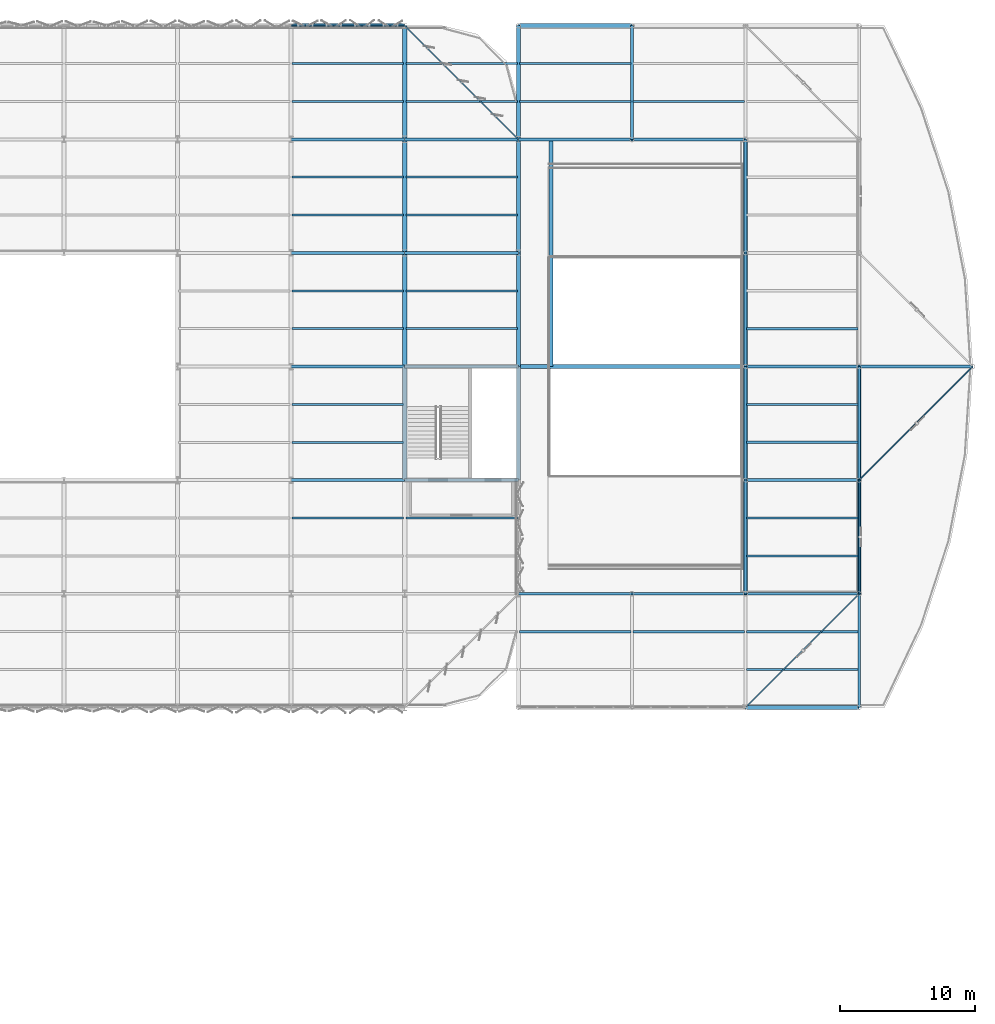
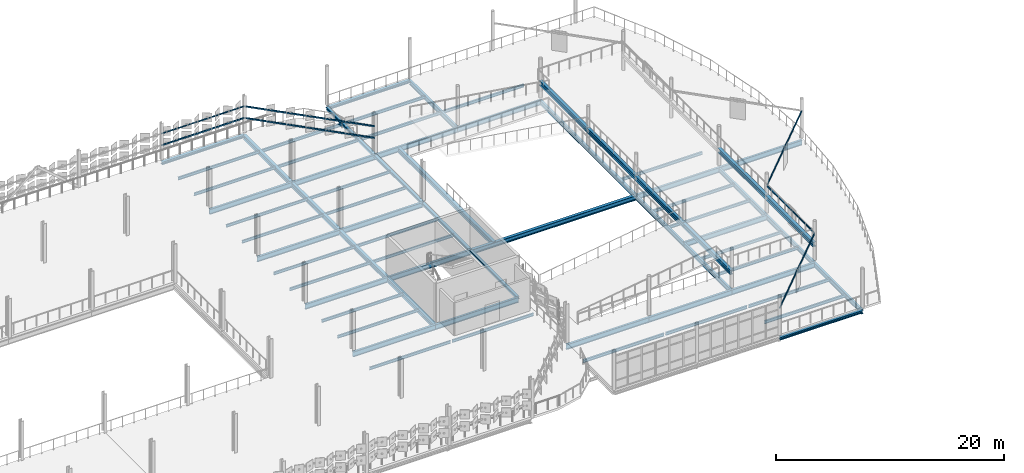
# One storey, part 34 of 69: 78 beams.
"""IFC4 building model written with IfcOpenShell, lengths in metres."""

from ifc_helpers import new_model, si_unit, direction, frame, origin, origin_2d, place, context, subcontext, project, spatial, hollow_rectangle, i_section, extrude, material, material_profile, profile_set, type_object, element, save


model = new_model("IFC4")

# Units and contexts
model_context = context("Model", 3, precision=1e-05, world=origin(), true_north=direction((0.0, 1.0)))
body_context = subcontext(model_context, "Body", "Model", "MODEL_VIEW")
ifc_project = project(units=[si_unit("LENGTHUNIT", "METRE"), si_unit("AREAUNIT", "SQUARE_METRE"), si_unit("VOLUMEUNIT", "CUBIC_METRE"), si_unit("PLANEANGLEUNIT", "RADIAN"), si_unit("MASSUNIT", "GRAM", prefix="KILO")], contexts=[model_context])

# Site, building, storey
site_placement = place(None, origin())
site = spatial("IfcSite", under=ifc_project, at=site_placement, CompositionType="ELEMENT")
building_placement = place(site_placement, origin())
building = spatial("IfcBuilding", under=site, at=building_placement, Name="Qalvenar Corner Mobility Hub", CompositionType="ELEMENT")
storey_placement = place(building_placement, frame((0.0, 0.0, 13.199951171875)))
storey = spatial("IfcBuildingStorey", under=building, at=storey_placement, Name="L03", CompositionType="ELEMENT", Elevation=13.199951171875)

# Beams
ifc_material = material(Name="Steel S355", Category="steel")
ifc_material_profile_1 = material_profile(ifc_material, i_section(OverallWidth=0.300048828125, OverallDepth=0.489990234375, WebThickness=0.011962890625, FlangeThickness=0.02294921875, FilletRadius=0.027099609375, at=origin_2d()), Name="HEA500")
ifc_profile_set_1 = profile_set([ifc_material_profile_1], Name="Steel S355")
beam_type_1 = type_object("IfcBeamType", Name="BM-HEA500", PredefinedType="BEAM", material=ifc_profile_set_1)
beam_1_placement = place(storey_placement, frame((134.39990234375, 84.0, -0.48486328125), z_axis=(0.0, 1.0, 0.0), x_axis=(-1.0, 0.0, 0.0)))
element("IfcBeam", 1, at=beam_1_placement, inside=storey, type_object=beam_type_1, Name="Primary Steel Girder GY-2435", PredefinedType="BEAM", context=body_context, shape_type="SweptSolid", body=[
    extrude(i_section(OverallWidth=0.300048828125, OverallDepth=0.489990234375, WebThickness=0.011962890625, FlangeThickness=0.02294921875, FilletRadius=0.027099609375, at=origin_2d()), origin(), (0.0, 0.0, 1.0), 8.39990234375),
])
beam_2_placement = place(storey_placement, frame((134.39990234375, 92.39990234375, -0.48486328125), z_axis=(0.0, 1.0, 0.0), x_axis=(-1.0, 0.0, 0.0)))
element("IfcBeam", 2, at=beam_2_placement, inside=storey, type_object=beam_type_1, Name="Primary Steel Girder GY-2436", PredefinedType="BEAM", context=body_context, shape_type="SweptSolid", body=[
    extrude(i_section(OverallWidth=0.300048828125, OverallDepth=0.489990234375, WebThickness=0.011962890625, FlangeThickness=0.02294921875, FilletRadius=0.027099609375, at=origin_2d()), origin(), (0.0, 0.0, 1.0), 8.400146484375),
])
beam_3_placement = place(storey_placement, frame((134.39990234375, 100.800048828125, -0.48486328125), z_axis=(0.0, 1.0, 0.0), x_axis=(-1.0, 0.0, 0.0)))
element("IfcBeam", 3, at=beam_3_placement, inside=storey, type_object=beam_type_1, Name="Primary Steel Girder GY-2437", PredefinedType="BEAM", context=body_context, shape_type="SweptSolid", body=[
    extrude(i_section(OverallWidth=0.300048828125, OverallDepth=0.489990234375, WebThickness=0.011962890625, FlangeThickness=0.02294921875, FilletRadius=0.027099609375, at=origin_2d()), origin(), (0.0, 0.0, 1.0), 8.39990234375),
])
beam_4_placement = place(storey_placement, frame((134.39990234375, 109.199951171875, -0.48486328125), z_axis=(0.0, 1.0, 0.0), x_axis=(-1.0, 0.0, 0.0)))
element("IfcBeam", 4, at=beam_4_placement, inside=storey, type_object=beam_type_1, Name="Primary Steel Girder GY-2438", PredefinedType="BEAM", context=body_context, shape_type="SweptSolid", body=[
    extrude(i_section(OverallWidth=0.300048828125, OverallDepth=0.489990234375, WebThickness=0.011962890625, FlangeThickness=0.02294921875, FilletRadius=0.027099609375, at=origin_2d()), origin(), (0.0, 0.0, 1.0), 8.400146484375),
])
for number, where, z_axis, x_axis, name in (
    (5, (142.800048828125, 92.39990234375, -0.512939453125), (1.0, 0.0, 0.0), (0.0, 1.0, 0.0), "Ramp Well Central Tie Girder L03"),
    (6, (145.199951171875, 92.39990234375, -0.512939453125), (0.0, 1.0, 0.0), (-1.0, 0.0, 0.0), "Ramp West Header Girder L03-HI"),
):
    element("IfcBeam", number, at=place(storey_placement, frame(where, z_axis=z_axis, x_axis=x_axis)), inside=storey, type_object=beam_type_1, Name=name, PredefinedType="BEAM", context=body_context, shape_type="SweptSolid", body=[
        extrude(i_section(OverallWidth=0.300048828125, OverallDepth=0.489990234375, WebThickness=0.011962890625, FlangeThickness=0.02294921875, FilletRadius=0.027099609375, at=origin_2d()), origin(), (0.0, 0.0, 1.0), 16.800048828125),
    ])
for number, where, z_axis, x_axis, name in (
    (7, (159.60009765625, 75.60009765625, 1.59716796875), (0.0, 1.0, 0.0), (-1.0, 0.0, 0.0), "Ramp Mid-Landing Girder L03-159-75"),
    (8, (159.60009765625, 84.0, 1.59716796875), (0.0, 1.0, 0.0), (-1.0, 0.0, 0.0), "Ramp Mid-Landing Girder L03-159-84"),
):
    element("IfcBeam", number, at=place(storey_placement, frame(where, z_axis=z_axis, x_axis=x_axis)), inside=storey, type_object=beam_type_1, Name=name, PredefinedType="BEAM", context=body_context, shape_type="SweptSolid", body=[
        extrude(i_section(OverallWidth=0.300048828125, OverallDepth=0.489990234375, WebThickness=0.011962890625, FlangeThickness=0.02294921875, FilletRadius=0.027099609375, at=origin_2d()), origin(), (0.0, 0.0, 1.0), 8.39990234375),
    ])
beam_5_placement = place(storey_placement, frame((159.60009765625, 92.39990234375, 1.59716796875), z_axis=(0.0, 1.0, 0.0), x_axis=(-1.0, 0.0, 0.0)))
element("IfcBeam", 9, at=beam_5_placement, inside=storey, type_object=beam_type_1, Name="Ramp Mid-Landing Girder L03-159-92", PredefinedType="BEAM", context=body_context, shape_type="SweptSolid", body=[
    extrude(i_section(OverallWidth=0.300048828125, OverallDepth=0.489990234375, WebThickness=0.011962890625, FlangeThickness=0.02294921875, FilletRadius=0.027099609375, at=origin_2d()), origin(), (0.0, 0.0, 1.0), 8.400146484375),
])
for number, where, z_axis, x_axis, name in (
    (10, (159.60009765625, 100.800048828125, 1.59716796875), (0.0, 1.0, 0.0), (-1.0, 0.0, 0.0), "Ramp Mid-Landing Girder L03-159-100"),
    (11, (168.0, 75.60009765625, 1.635009765625), (0.0, 1.0, 0.0), (-1.0, 0.0, 0.0), "Ramp Mid-Landing Girder L03-168-75"),
    (12, (168.0, 84.0, 1.635009765625), (0.0, 1.0, 0.0), (-1.0, 0.0, 0.0), "Ramp Mid-Landing Girder L03-168-84"),
):
    element("IfcBeam", number, at=place(storey_placement, frame(where, z_axis=z_axis, x_axis=x_axis)), inside=storey, type_object=beam_type_1, Name=name, PredefinedType="BEAM", context=body_context, shape_type="SweptSolid", body=[
        extrude(i_section(OverallWidth=0.300048828125, OverallDepth=0.489990234375, WebThickness=0.011962890625, FlangeThickness=0.02294921875, FilletRadius=0.027099609375, at=origin_2d()), origin(), (0.0, 0.0, 1.0), 8.39990234375),
    ])
ifc_material_profile_2 = material_profile(ifc_material, i_section(OverallWidth=0.199951171875, OverallDepth=0.5, WebThickness=0.01025390625, FlangeThickness=0.01611328125, FilletRadius=0.02099609375, at=origin_2d()), Name="IPE500")
ifc_profile_set_2 = profile_set([ifc_material_profile_2], Name="Steel S355")
beam_type_2 = type_object("IfcBeamType", Name="BM-IPE500", PredefinedType="BEAM", material=ifc_profile_set_2)
beam_6_placement = place(storey_placement, frame((151.199951171875, 109.199951171875, -0.489990234375), z_axis=(0.0, 1.0, 0.0), x_axis=(-1.0, 0.0, 0.0)))
element("IfcBeam", 13, at=beam_6_placement, inside=storey, type_object=beam_type_2, Name="Primary Steel Girder GY-2554", PredefinedType="BEAM", context=body_context, shape_type="SweptSolid", body=[
    extrude(i_section(OverallWidth=0.199951171875, OverallDepth=0.5, WebThickness=0.01025390625, FlangeThickness=0.01611328125, FilletRadius=0.02099609375, at=origin_2d()), origin(), (0.0, 0.0, 1.0), 8.400146484375),
])
for number, where, z_axis, x_axis, name in (
    (14, (159.60009765625, 75.60009765625, -0.489990234375), (0.0, 1.0, 0.0), (-1.0, 0.0, 0.0), "Primary Steel Girder GY-2556"),
    (15, (159.60009765625, 84.0, -0.489990234375), (0.0, 1.0, 0.0), (-1.0, 0.0, 0.0), "Primary Steel Girder GY-2557"),
):
    element("IfcBeam", number, at=place(storey_placement, frame(where, z_axis=z_axis, x_axis=x_axis)), inside=storey, type_object=beam_type_2, Name=name, PredefinedType="BEAM", context=body_context, shape_type="SweptSolid", body=[
        extrude(i_section(OverallWidth=0.199951171875, OverallDepth=0.5, WebThickness=0.01025390625, FlangeThickness=0.01611328125, FilletRadius=0.02099609375, at=origin_2d()), origin(), (0.0, 0.0, 1.0), 8.39990234375),
    ])
beam_7_placement = place(storey_placement, frame((159.60009765625, 92.39990234375, -0.489990234375), z_axis=(0.0, 1.0, 0.0), x_axis=(-1.0, 0.0, 0.0)))
element("IfcBeam", 16, at=beam_7_placement, inside=storey, type_object=beam_type_2, Name="Primary Steel Girder GY-2558", PredefinedType="BEAM", context=body_context, shape_type="SweptSolid", body=[
    extrude(i_section(OverallWidth=0.199951171875, OverallDepth=0.5, WebThickness=0.01025390625, FlangeThickness=0.01611328125, FilletRadius=0.02099609375, at=origin_2d()), origin(), (0.0, 0.0, 1.0), 8.400146484375),
])
beam_8_placement = place(storey_placement, frame((159.60009765625, 100.800048828125, -0.489990234375), z_axis=(0.0, 1.0, 0.0), x_axis=(-1.0, 0.0, 0.0)))
element("IfcBeam", 17, at=beam_8_placement, inside=storey, type_object=beam_type_2, Name="Primary Steel Girder GY-2559", PredefinedType="BEAM", context=body_context, shape_type="SweptSolid", body=[
    extrude(i_section(OverallWidth=0.199951171875, OverallDepth=0.5, WebThickness=0.01025390625, FlangeThickness=0.01611328125, FilletRadius=0.02099609375, at=origin_2d()), origin(), (0.0, 0.0, 1.0), 8.39990234375),
])
beam_9_placement = place(storey_placement, frame((168.0, 67.199951171875, -0.489990234375), z_axis=(0.0, 1.0, 0.0), x_axis=(-1.0, 0.0, 0.0)))
element("IfcBeam", 18, at=beam_9_placement, inside=storey, type_object=beam_type_2, Name="Primary Steel Girder GY-2561", PredefinedType="BEAM", context=body_context, shape_type="SweptSolid", body=[
    extrude(i_section(OverallWidth=0.199951171875, OverallDepth=0.5, WebThickness=0.01025390625, FlangeThickness=0.01611328125, FilletRadius=0.02099609375, at=origin_2d()), origin(), (0.0, 0.0, 1.0), 8.400146484375),
])
for number, where, z_axis, x_axis, name in (
    (19, (168.0, 75.60009765625, -0.489990234375), (0.0, 1.0, 0.0), (-1.0, 0.0, 0.0), "Primary Steel Girder GY-2562"),
    (20, (168.0, 84.0, -0.489990234375), (0.0, 1.0, 0.0), (-1.0, 0.0, 0.0), "Primary Steel Girder GY-2563"),
):
    element("IfcBeam", number, at=place(storey_placement, frame(where, z_axis=z_axis, x_axis=x_axis)), inside=storey, type_object=beam_type_2, Name=name, PredefinedType="BEAM", context=body_context, shape_type="SweptSolid", body=[
        extrude(i_section(OverallWidth=0.199951171875, OverallDepth=0.5, WebThickness=0.01025390625, FlangeThickness=0.01611328125, FilletRadius=0.02099609375, at=origin_2d()), origin(), (0.0, 0.0, 1.0), 8.39990234375),
    ])
ifc_material_profile_3 = material_profile(ifc_material, i_section(OverallWidth=0.2099609375, OverallDepth=0.550048828125, WebThickness=0.010986328125, FlangeThickness=0.01708984375, FilletRadius=0.02392578125, at=origin_2d()), Name="IPE550")
ifc_profile_set_3 = profile_set([ifc_material_profile_3], Name="Steel S355")
beam_type_3 = type_object("IfcBeamType", Name="BM-IPE550", PredefinedType="BEAM", material=ifc_profile_set_3)
beam_10_placement = place(storey_placement, frame((126.0, 84.0, -0.514892578125), z_axis=(1.0, 0.0, 0.0), x_axis=(0.0, 1.0, 0.0)))
element("IfcBeam", 21, at=beam_10_placement, inside=storey, type_object=beam_type_3, Name="Primary Steel Girder GX-2351", PredefinedType="BEAM", context=body_context, shape_type="SweptSolid", body=[
    extrude(i_section(OverallWidth=0.2099609375, OverallDepth=0.550048828125, WebThickness=0.010986328125, FlangeThickness=0.01708984375, FilletRadius=0.02392578125, at=origin_2d()), origin(), (0.0, 0.0, 1.0), 8.39990234375),
])
beam_11_placement = place(storey_placement, frame((134.39990234375, 84.0, -0.514892578125), z_axis=(1.0, 0.0, 0.0), x_axis=(0.0, 1.0, 0.0)))
element("IfcBeam", 22, at=beam_11_placement, inside=storey, type_object=beam_type_3, Name="Primary Steel Girder GX-2352", PredefinedType="BEAM", context=body_context, shape_type="SweptSolid", body=[
    extrude(i_section(OverallWidth=0.2099609375, OverallDepth=0.550048828125, WebThickness=0.010986328125, FlangeThickness=0.01708984375, FilletRadius=0.02392578125, at=origin_2d()), origin(), (0.0, 0.0, 1.0), 8.400146484375),
])
beam_12_placement = place(storey_placement, frame((126.0, 92.39990234375, -0.514892578125), z_axis=(1.0, 0.0, 0.0), x_axis=(0.0, 1.0, 0.0)))
element("IfcBeam", 23, at=beam_12_placement, inside=storey, type_object=beam_type_3, Name="Primary Steel Girder GX-2357", PredefinedType="BEAM", context=body_context, shape_type="SweptSolid", body=[
    extrude(i_section(OverallWidth=0.2099609375, OverallDepth=0.550048828125, WebThickness=0.010986328125, FlangeThickness=0.01708984375, FilletRadius=0.02392578125, at=origin_2d()), origin(), (0.0, 0.0, 1.0), 8.39990234375),
])
beam_13_placement = place(storey_placement, frame((134.39990234375, 92.39990234375, -0.514892578125), z_axis=(1.0, 0.0, 0.0), x_axis=(0.0, 1.0, 0.0)))
element("IfcBeam", 24, at=beam_13_placement, inside=storey, type_object=beam_type_3, Name="Primary Steel Girder GX-2358", PredefinedType="BEAM", context=body_context, shape_type="SweptSolid", body=[
    extrude(i_section(OverallWidth=0.2099609375, OverallDepth=0.550048828125, WebThickness=0.010986328125, FlangeThickness=0.01708984375, FilletRadius=0.02392578125, at=origin_2d()), origin(), (0.0, 0.0, 1.0), 8.400146484375),
])
beam_14_placement = place(storey_placement, frame((126.0, 100.800048828125, -0.514892578125), z_axis=(1.0, 0.0, 0.0), x_axis=(0.0, 1.0, 0.0)))
element("IfcBeam", 25, at=beam_14_placement, inside=storey, type_object=beam_type_3, Name="Primary Steel Girder GX-2367", PredefinedType="BEAM", context=body_context, shape_type="SweptSolid", body=[
    extrude(i_section(OverallWidth=0.2099609375, OverallDepth=0.550048828125, WebThickness=0.010986328125, FlangeThickness=0.01708984375, FilletRadius=0.02392578125, at=origin_2d()), origin(), (0.0, 0.0, 1.0), 8.39990234375),
])
beam_15_placement = place(storey_placement, frame((134.39990234375, 100.800048828125, -0.514892578125), z_axis=(1.0, 0.0, 0.0), x_axis=(0.0, 1.0, 0.0)))
element("IfcBeam", 26, at=beam_15_placement, inside=storey, type_object=beam_type_3, Name="Primary Steel Girder GX-2368", PredefinedType="BEAM", context=body_context, shape_type="SweptSolid", body=[
    extrude(i_section(OverallWidth=0.2099609375, OverallDepth=0.550048828125, WebThickness=0.010986328125, FlangeThickness=0.01708984375, FilletRadius=0.02392578125, at=origin_2d()), origin(), (0.0, 0.0, 1.0), 8.400146484375),
])
beam_16_placement = place(storey_placement, frame((126.0, 109.199951171875, -0.514892578125), z_axis=(1.0, 0.0, 0.0), x_axis=(0.0, 1.0, 0.0)))
element("IfcBeam", 27, at=beam_16_placement, inside=storey, type_object=beam_type_3, Name="Primary Steel Girder GX-2377", PredefinedType="BEAM", context=body_context, shape_type="SweptSolid", body=[
    extrude(i_section(OverallWidth=0.2099609375, OverallDepth=0.550048828125, WebThickness=0.010986328125, FlangeThickness=0.01708984375, FilletRadius=0.02392578125, at=origin_2d()), origin(), (0.0, 0.0, 1.0), 8.39990234375),
])
beam_17_placement = place(storey_placement, frame((134.39990234375, 109.199951171875, -0.514892578125), z_axis=(1.0, 0.0, 0.0), x_axis=(0.0, 1.0, 0.0)))
element("IfcBeam", 28, at=beam_17_placement, inside=storey, type_object=beam_type_3, Name="Primary Steel Girder GX-2378", PredefinedType="BEAM", context=body_context, shape_type="SweptSolid", body=[
    extrude(i_section(OverallWidth=0.2099609375, OverallDepth=0.550048828125, WebThickness=0.010986328125, FlangeThickness=0.01708984375, FilletRadius=0.02392578125, at=origin_2d()), origin(), (0.0, 0.0, 1.0), 8.400146484375),
])
beam_18_placement = place(storey_placement, frame((142.800048828125, 75.60009765625, -0.514892578125), z_axis=(1.0, 0.0, 0.0), x_axis=(0.0, 1.0, 0.0)))
element("IfcBeam", 29, at=beam_18_placement, inside=storey, type_object=beam_type_3, Name="Primary Steel Girder GX-2538", PredefinedType="BEAM", context=body_context, shape_type="SweptSolid", body=[
    extrude(i_section(OverallWidth=0.2099609375, OverallDepth=0.550048828125, WebThickness=0.010986328125, FlangeThickness=0.01708984375, FilletRadius=0.02392578125, at=origin_2d()), origin(), (0.0, 0.0, 1.0), 8.39990234375),
])
beam_19_placement = place(storey_placement, frame((151.199951171875, 75.60009765625, -0.514892578125), z_axis=(1.0, 0.0, 0.0), x_axis=(0.0, 1.0, 0.0)))
element("IfcBeam", 30, at=beam_19_placement, inside=storey, type_object=beam_type_3, Name="Primary Steel Girder GX-2539", PredefinedType="BEAM", context=body_context, shape_type="SweptSolid", body=[
    extrude(i_section(OverallWidth=0.2099609375, OverallDepth=0.550048828125, WebThickness=0.010986328125, FlangeThickness=0.01708984375, FilletRadius=0.02392578125, at=origin_2d()), origin(), (0.0, 0.0, 1.0), 8.400146484375),
])
for number, where, z_axis, x_axis, name in (
    (31, (159.60009765625, 75.60009765625, -0.514892578125), (1.0, 0.0, 0.0), (0.0, 1.0, 0.0), "Primary Steel Girder GX-2540"),
    (32, (159.60009765625, 84.0, -0.514892578125), (1.0, 0.0, 0.0), (0.0, 1.0, 0.0), "Primary Steel Girder GX-2541"),
    (33, (159.60009765625, 92.39990234375, -0.514892578125), (1.0, 0.0, 0.0), (0.0, 1.0, 0.0), "Primary Steel Girder GX-2542"),
    (34, (168.0, 92.39990234375, -0.514892578125), (1.0, 0.0, 0.0), (0.0, 1.0, 0.0), "Primary Steel Girder GX-2543"),
    (35, (142.800048828125, 109.199951171875, -0.514892578125), (1.0, 0.0, 0.0), (0.0, 1.0, 0.0), "Primary Steel Girder GX-2545"),
):
    element("IfcBeam", number, at=place(storey_placement, frame(where, z_axis=z_axis, x_axis=x_axis)), inside=storey, type_object=beam_type_3, Name=name, PredefinedType="BEAM", context=body_context, shape_type="SweptSolid", body=[
        extrude(i_section(OverallWidth=0.2099609375, OverallDepth=0.550048828125, WebThickness=0.010986328125, FlangeThickness=0.01708984375, FilletRadius=0.02392578125, at=origin_2d()), origin(), (0.0, 0.0, 1.0), 8.39990234375),
    ])
beam_20_placement = place(storey_placement, frame((151.199951171875, 109.199951171875, -0.514892578125), z_axis=(1.0, 0.0, 0.0), x_axis=(0.0, 1.0, 0.0)))
element("IfcBeam", 36, at=beam_20_placement, inside=storey, type_object=beam_type_3, Name="Primary Steel Girder GX-2546", PredefinedType="BEAM", context=body_context, shape_type="SweptSolid", body=[
    extrude(i_section(OverallWidth=0.2099609375, OverallDepth=0.550048828125, WebThickness=0.010986328125, FlangeThickness=0.01708984375, FilletRadius=0.02392578125, at=origin_2d()), origin(), (0.0, 0.0, 1.0), 8.400146484375),
])
ifc_material_profile_4 = material_profile(ifc_material, i_section(OverallWidth=0.14990234375, OverallDepth=0.300048828125, WebThickness=0.007080078125, FlangeThickness=0.0107421875, FilletRadius=0.014892578125, at=origin_2d()), Name="IPE300")
ifc_profile_set_4 = profile_set([ifc_material_profile_4], Name="Steel S355")
beam_type_4 = type_object("IfcBeamType", Name="BM-JST300", PredefinedType="JOIST", material=ifc_profile_set_4)
for number, where, z_axis, x_axis, name in (
    (37, (126.077880859375, 81.199951171875, -0.389892578125), (1.0, 0.0, 0.0), (0.0, 1.0, 0.0), "Composite Floor Joist J-2520"),
    (38, (126.077880859375, 86.800048828125, -0.389892578125), (1.0, 0.0, 0.0), (0.0, 1.0, 0.0), "Composite Floor Joist J-2521"),
    (39, (126.077880859375, 89.60009765625, -0.389892578125), (1.0, 0.0, 0.0), (0.0, 1.0, 0.0), "Composite Floor Joist J-2522"),
    (40, (126.077880859375, 95.199951171875, -0.389892578125), (1.0, 0.0, 0.0), (0.0, 1.0, 0.0), "Composite Floor Joist J-2523"),
    (41, (126.077880859375, 98.0, -0.389892578125), (1.0, 0.0, 0.0), (0.0, 1.0, 0.0), "Composite Floor Joist J-2524"),
    (42, (126.077880859375, 103.60009765625, -0.389892578125), (1.0, 0.0, 0.0), (0.0, 1.0, 0.0), "Composite Floor Joist J-2525"),
    (43, (126.077880859375, 106.39990234375, -0.389892578125), (1.0, 0.0, 0.0), (0.0, 1.0, 0.0), "Composite Floor Joist J-2526"),
    (44, (126.077880859375, 112.0, -0.389892578125), (1.0, 0.0, 0.0), (0.0, 1.0, 0.0), "Composite Floor Joist J-2527"),
    (45, (126.077880859375, 114.800048828125, -0.389892578125), (1.0, 0.0, 0.0), (0.0, 1.0, 0.0), "Composite Floor Joist J-2528"),
):
    element("IfcBeam", number, at=place(storey_placement, frame(where, z_axis=z_axis, x_axis=x_axis)), inside=storey, type_object=beam_type_4, Name=name, PredefinedType="JOIST", context=body_context, shape_type="SweptSolid", body=[
        extrude(i_section(OverallWidth=0.14990234375, OverallDepth=0.300048828125, WebThickness=0.007080078125, FlangeThickness=0.0107421875, FilletRadius=0.014892578125, at=origin_2d()), origin(), (0.0, 0.0, 1.0), 8.244140625),
    ])
for number, where, z_axis, x_axis, name in (
    (46, (134.47802734375, 81.199951171875, -0.389892578125), (1.0, 0.0, 0.0), (0.0, 1.0, 0.0), "Composite Floor Joist J-2530"),
    (47, (134.47802734375, 95.199951171875, -0.389892578125), (1.0, 0.0, 0.0), (0.0, 1.0, 0.0), "Composite Floor Joist J-2531"),
    (48, (134.47802734375, 98.0, -0.389892578125), (1.0, 0.0, 0.0), (0.0, 1.0, 0.0), "Composite Floor Joist J-2532"),
    (49, (134.47802734375, 103.60009765625, -0.389892578125), (1.0, 0.0, 0.0), (0.0, 1.0, 0.0), "Composite Floor Joist J-2533"),
    (50, (134.47802734375, 106.39990234375, -0.389892578125), (1.0, 0.0, 0.0), (0.0, 1.0, 0.0), "Composite Floor Joist J-2534"),
):
    element("IfcBeam", number, at=place(storey_placement, frame(where, z_axis=z_axis, x_axis=x_axis)), inside=storey, type_object=beam_type_4, Name=name, PredefinedType="JOIST", context=body_context, shape_type="SweptSolid", body=[
        extrude(i_section(OverallWidth=0.14990234375, OverallDepth=0.300048828125, WebThickness=0.007080078125, FlangeThickness=0.0107421875, FilletRadius=0.014892578125, at=origin_2d()), origin(), (0.0, 0.0, 1.0), 8.243896484375),
    ])
ifc_material_profile_5 = material_profile(ifc_material, i_section(OverallWidth=0.1650390625, OverallDepth=0.31005859375, WebThickness=0.005859375, FlangeThickness=0.009765625, FilletRadius=0.011962890625, at=origin_2d()), Name="W310x38.7")
ifc_profile_set_5 = profile_set([ifc_material_profile_5], Name="Steel S355")
beam_type_5 = type_object("IfcBeamType", Name="BM-JST310", PredefinedType="JOIST", material=ifc_profile_set_5)
for number, where, z_axis, x_axis, name in (
    (51, (134.47802734375, 112.0, -0.39501953125), (1.0, 0.0, 0.0), (0.0, 1.0, 0.0), "Composite Floor Joist J-2569"),
    (52, (134.47802734375, 114.800048828125, -0.39501953125), (1.0, 0.0, 0.0), (0.0, 1.0, 0.0), "Composite Floor Joist J-2570"),
):
    element("IfcBeam", number, at=place(storey_placement, frame(where, z_axis=z_axis, x_axis=x_axis)), inside=storey, type_object=beam_type_5, Name=name, PredefinedType="JOIST", context=body_context, shape_type="SweptSolid", body=[
        extrude(i_section(OverallWidth=0.1650390625, OverallDepth=0.31005859375, WebThickness=0.005859375, FlangeThickness=0.009765625, FilletRadius=0.011962890625, at=origin_2d()), origin(), (0.0, 0.0, 1.0), 8.243896484375),
    ])
for number, where, z_axis, x_axis, name in (
    (53, (142.8779296875, 72.800048828125, -0.39501953125), (1.0, 0.0, 0.0), (0.0, 1.0, 0.0), "Composite Floor Joist J-2572"),
    (54, (142.8779296875, 112.0, -0.39501953125), (1.0, 0.0, 0.0), (0.0, 1.0, 0.0), "Composite Floor Joist J-2573"),
    (55, (142.8779296875, 114.800048828125, -0.39501953125), (1.0, 0.0, 0.0), (0.0, 1.0, 0.0), "Composite Floor Joist J-2574"),
):
    element("IfcBeam", number, at=place(storey_placement, frame(where, z_axis=z_axis, x_axis=x_axis)), inside=storey, type_object=beam_type_5, Name=name, PredefinedType="JOIST", context=body_context, shape_type="SweptSolid", body=[
        extrude(i_section(OverallWidth=0.1650390625, OverallDepth=0.31005859375, WebThickness=0.005859375, FlangeThickness=0.009765625, FilletRadius=0.011962890625, at=origin_2d()), origin(), (0.0, 0.0, 1.0), 8.244140625),
    ])
for number, where, z_axis, x_axis, name in (
    (56, (151.278076171875, 72.800048828125, -0.39501953125), (1.0, 0.0, 0.0), (0.0, 1.0, 0.0), "Composite Floor Joist J-2576"),
    (57, (151.278076171875, 112.0, -0.39501953125), (1.0, 0.0, 0.0), (0.0, 1.0, 0.0), "Composite Floor Joist J-2577"),
):
    element("IfcBeam", number, at=place(storey_placement, frame(where, z_axis=z_axis, x_axis=x_axis)), inside=storey, type_object=beam_type_5, Name=name, PredefinedType="JOIST", context=body_context, shape_type="SweptSolid", body=[
        extrude(i_section(OverallWidth=0.1650390625, OverallDepth=0.31005859375, WebThickness=0.005859375, FlangeThickness=0.009765625, FilletRadius=0.011962890625, at=origin_2d()), origin(), (0.0, 0.0, 1.0), 8.243896484375),
    ])
for number, where, z_axis, x_axis, name in (
    (58, (159.677978515625, 70.0, -0.39501953125), (1.0, 0.0, 0.0), (0.0, 1.0, 0.0), "Composite Floor Joist J-2579"),
    (59, (159.677978515625, 72.800048828125, -0.39501953125), (1.0, 0.0, 0.0), (0.0, 1.0, 0.0), "Composite Floor Joist J-2580"),
    (60, (159.677978515625, 78.39990234375, -0.39501953125), (1.0, 0.0, 0.0), (0.0, 1.0, 0.0), "Composite Floor Joist J-2581"),
    (61, (159.677978515625, 81.199951171875, -0.39501953125), (1.0, 0.0, 0.0), (0.0, 1.0, 0.0), "Composite Floor Joist J-2582"),
    (62, (159.677978515625, 86.800048828125, -0.39501953125), (1.0, 0.0, 0.0), (0.0, 1.0, 0.0), "Composite Floor Joist J-2583"),
    (63, (159.677978515625, 89.60009765625, -0.39501953125), (1.0, 0.0, 0.0), (0.0, 1.0, 0.0), "Composite Floor Joist J-2584"),
    (64, (159.677978515625, 95.199951171875, -0.39501953125), (1.0, 0.0, 0.0), (0.0, 1.0, 0.0), "Composite Floor Joist J-2585"),
):
    element("IfcBeam", number, at=place(storey_placement, frame(where, z_axis=z_axis, x_axis=x_axis)), inside=storey, type_object=beam_type_5, Name=name, PredefinedType="JOIST", context=body_context, shape_type="SweptSolid", body=[
        extrude(i_section(OverallWidth=0.1650390625, OverallDepth=0.31005859375, WebThickness=0.005859375, FlangeThickness=0.009765625, FilletRadius=0.011962890625, at=origin_2d()), origin(), (0.0, 0.0, 1.0), 8.244140625),
    ])
ifc_material_profile_6 = material_profile(ifc_material, i_section(OverallWidth=0.280029296875, OverallDepth=0.27001953125, WebThickness=0.008056640625, FlangeThickness=0.012939453125, FilletRadius=0.02392578125, at=origin_2d()), Name="HEA280")
ifc_profile_set_6 = profile_set([ifc_material_profile_6], Name="Steel S355")
beam_type_6 = type_object("IfcBeamType", Name="BM-SPN280", PredefinedType="SPANDREL", material=ifc_profile_set_6)
beam_21_placement = place(storey_placement, frame((142.800048828125, 84.0, -0.375), z_axis=(0.0, 1.0, 0.0), x_axis=(-1.0, 0.0, 0.0)))
element("IfcBeam", 65, at=beam_21_placement, inside=storey, type_object=beam_type_6, Name="Primary Steel Girder GY-2440", PredefinedType="SPANDREL", context=body_context, shape_type="SweptSolid", body=[
    extrude(i_section(OverallWidth=0.280029296875, OverallDepth=0.27001953125, WebThickness=0.008056640625, FlangeThickness=0.012939453125, FilletRadius=0.02392578125, at=origin_2d()), origin(), (0.0, 0.0, 1.0), 8.39990234375),
])
beam_22_placement = place(storey_placement, frame((142.800048828125, 92.39990234375, -0.375), z_axis=(0.0, 1.0, 0.0), x_axis=(-1.0, 0.0, 0.0)))
element("IfcBeam", 66, at=beam_22_placement, inside=storey, type_object=beam_type_6, Name="Primary Steel Girder GY-2441", PredefinedType="SPANDREL", context=body_context, shape_type="SweptSolid", body=[
    extrude(i_section(OverallWidth=0.280029296875, OverallDepth=0.27001953125, WebThickness=0.008056640625, FlangeThickness=0.012939453125, FilletRadius=0.02392578125, at=origin_2d()), origin(), (0.0, 0.0, 1.0), 8.400146484375),
])
beam_23_placement = place(storey_placement, frame((142.800048828125, 100.800048828125, -0.375), z_axis=(0.0, 1.0, 0.0), x_axis=(-1.0, 0.0, 0.0)))
element("IfcBeam", 67, at=beam_23_placement, inside=storey, type_object=beam_type_6, Name="Primary Steel Girder GY-2442", PredefinedType="SPANDREL", context=body_context, shape_type="SweptSolid", body=[
    extrude(i_section(OverallWidth=0.280029296875, OverallDepth=0.27001953125, WebThickness=0.008056640625, FlangeThickness=0.012939453125, FilletRadius=0.02392578125, at=origin_2d()), origin(), (0.0, 0.0, 1.0), 8.39990234375),
])
beam_24_placement = place(storey_placement, frame((142.800048828125, 109.199951171875, -0.375), z_axis=(0.0, 1.0, 0.0), x_axis=(-1.0, 0.0, 0.0)))
element("IfcBeam", 68, at=beam_24_placement, inside=storey, type_object=beam_type_6, Name="Primary Steel Girder GY-2552", PredefinedType="SPANDREL", context=body_context, shape_type="SweptSolid", body=[
    extrude(i_section(OverallWidth=0.280029296875, OverallDepth=0.27001953125, WebThickness=0.008056640625, FlangeThickness=0.012939453125, FilletRadius=0.02392578125, at=origin_2d()), origin(), (0.0, 0.0, 1.0), 8.400146484375),
])
ifc_material_profile_7 = material_profile(ifc_material, i_section(OverallWidth=0.300048828125, OverallDepth=0.2900390625, WebThickness=0.008544921875, FlangeThickness=0.013916015625, FilletRadius=0.027099609375, at=origin_2d()), Name="HEA300")
ifc_profile_set_7 = profile_set([ifc_material_profile_7], Name="Steel S355")
beam_type_7 = type_object("IfcBeamType", Name="BM-SPN300", PredefinedType="SPANDREL", material=ifc_profile_set_7)
for number, where, z_axis, x_axis, name in (
    (69, (126.0, 117.60009765625, -0.385009765625), (1.0, 0.0, 0.0), (0.0, 1.0, 0.0), "Primary Steel Girder GX-2386"),
    (70, (159.60009765625, 67.199951171875, -0.385009765625), (1.0, 0.0, 0.0), (0.0, 1.0, 0.0), "Primary Steel Girder GX-2537"),
    (71, (142.800048828125, 117.60009765625, -0.385009765625), (1.0, 0.0, 0.0), (0.0, 1.0, 0.0), "Primary Steel Girder GX-2548"),
):
    element("IfcBeam", number, at=place(storey_placement, frame(where, z_axis=z_axis, x_axis=x_axis)), inside=storey, type_object=beam_type_7, Name=name, PredefinedType="SPANDREL", context=body_context, shape_type="SweptSolid", body=[
        extrude(i_section(OverallWidth=0.300048828125, OverallDepth=0.2900390625, WebThickness=0.008544921875, FlangeThickness=0.013916015625, FilletRadius=0.027099609375, at=origin_2d()), origin(), (0.0, 0.0, 1.0), 8.39990234375),
    ])
ifc_material_profile_8 = material_profile(ifc_material, hollow_rectangle(XDim=0.080078125, YDim=0.1201171875, WallThickness=0.0048828125, InnerFilletRadius=0.0048828125, OuterFilletRadius=0.010009765625, at=origin_2d()), Name="RHS120x80x5")
ifc_profile_set_8 = profile_set([ifc_material_profile_8], Name="Steel S355")
beam_type_8 = type_object("IfcBeamType", Name="FR-RAIL120", PredefinedType="SPANDREL", material=ifc_profile_set_8)
beam_25_placement = place(storey_placement, frame((134.39990234375, 117.60009765625, 2.75), z_axis=(-1.0, 0.0, 0.0), x_axis=(0.0, -1.0, 0.0)))
element("IfcBeam", 72, at=beam_25_placement, inside=storey, type_object=beam_type_8, Name="Facade Hinge Support Rail FR-L03-0114", PredefinedType="SPANDREL", context=body_context, shape_type="SweptSolid", body=[
    extrude(hollow_rectangle(XDim=0.080078125, YDim=0.1201171875, WallThickness=0.0048828125, InnerFilletRadius=0.0048828125, OuterFilletRadius=0.010009765625, at=origin_2d()), origin(), (0.0, 0.0, 1.0), 8.39990234375),
])
ifc_material_profile_9 = material_profile(ifc_material, hollow_rectangle(XDim=0.10009765625, YDim=0.14990234375, WallThickness=0.00634765625, InnerFilletRadius=0.00634765625, OuterFilletRadius=0.0126953125, at=origin_2d()), Name="RHS150x100x6.3")
ifc_profile_set_9 = profile_set([ifc_material_profile_9], Name="Steel S355")
beam_type_9 = type_object("IfcBeamType", Name="FR-RAIL150", PredefinedType="SPANDREL", material=ifc_profile_set_9)
beam_26_placement = place(storey_placement, frame((134.39990234375, 117.60009765625, 1.5), z_axis=(-1.0, 0.0, 0.0), x_axis=(0.0, -1.0, 0.0)))
element("IfcBeam", 73, at=beam_26_placement, inside=storey, type_object=beam_type_9, Name="Facade Hinge Support Rail FR-L03-0113", PredefinedType="SPANDREL", context=body_context, shape_type="SweptSolid", body=[
    extrude(hollow_rectangle(XDim=0.10009765625, YDim=0.14990234375, WallThickness=0.00634765625, InnerFilletRadius=0.00634765625, OuterFilletRadius=0.0126953125, at=origin_2d()), origin(), (0.0, 0.0, 1.0), 8.39990234375),
])
for number, where, z_axis, x_axis, name in (
    (74, (142.800048828125, 109.199951171875, 1.5), (-0.707106781187, 0.707106781187, 0.0), (-0.707106781187, -0.707106781187, 0.0), "Corner Facade Rail FRC-L03-0141"),
    (75, (142.800048828125, 109.199951171875, 2.75), (-0.707106781187, 0.707106781187, 0.0), (-0.707106781187, -0.707106781187, 0.0), "Corner Facade Rail FRC-L03-0142"),
):
    element("IfcBeam", number, at=place(storey_placement, frame(where, z_axis=z_axis, x_axis=x_axis)), inside=storey, type_object=beam_type_9, Name=name, PredefinedType="SPANDREL", context=body_context, shape_type="SweptSolid", body=[
        extrude(hollow_rectangle(XDim=0.10009765625, YDim=0.14990234375, WallThickness=0.00634765625, InnerFilletRadius=0.00634765625, OuterFilletRadius=0.0126953125, at=origin_2d()), origin(), (0.0, 0.0, 1.0), 11.879638671875),
    ])
beam_27_placement = place(storey_placement, frame((159.60009765625, 67.199951171875, 2.85009765625), z_axis=(0.707096505339, 0.707117056885, 0.0), x_axis=(-0.707117056885, 0.707096505339, 0.0)))
element("IfcBeam", 76, at=beam_27_placement, inside=storey, type_object=beam_type_9, Name="Rotunda Screen Rail V2-L03-1", PredefinedType="SPANDREL", context=body_context, shape_type="SweptSolid", body=[
    extrude(hollow_rectangle(XDim=0.10009765625, YDim=0.14990234375, WallThickness=0.00634765625, InnerFilletRadius=0.00634765625, OuterFilletRadius=0.0126953125, at=origin_2d()), origin(), (0.0, 0.0, 1.0), 11.87939453125),
])
beam_28_placement = place(storey_placement, frame((168.0, 75.60009765625, 2.85009765625), z_axis=(0.0, 1.0, 0.0), x_axis=(-1.0, 0.0, 0.0)))
element("IfcBeam", 77, at=beam_28_placement, inside=storey, type_object=beam_type_9, Name="Rotunda Screen Rail V2-L03-2", PredefinedType="SPANDREL", context=body_context, shape_type="SweptSolid", body=[
    extrude(hollow_rectangle(XDim=0.10009765625, YDim=0.14990234375, WallThickness=0.00634765625, InnerFilletRadius=0.00634765625, OuterFilletRadius=0.0126953125, at=origin_2d()), origin(), (0.0, 0.0, 1.0), 8.39990234375),
])
beam_29_placement = place(storey_placement, frame((168.0, 84.0, 2.85009765625), z_axis=(0.707106781187, 0.707106781187, 0.0), x_axis=(-0.707106781187, 0.707106781187, 0.0)))
element("IfcBeam", 78, at=beam_29_placement, inside=storey, type_object=beam_type_9, Name="Rotunda Screen Rail V2-L03-3", PredefinedType="SPANDREL", context=body_context, shape_type="SweptSolid", body=[
    extrude(hollow_rectangle(XDim=0.10009765625, YDim=0.14990234375, WallThickness=0.00634765625, InnerFilletRadius=0.00634765625, OuterFilletRadius=0.0126953125, at=origin_2d()), origin(), (0.0, 0.0, 1.0), 11.879150390625),
])

save(model, "model.ifc")
